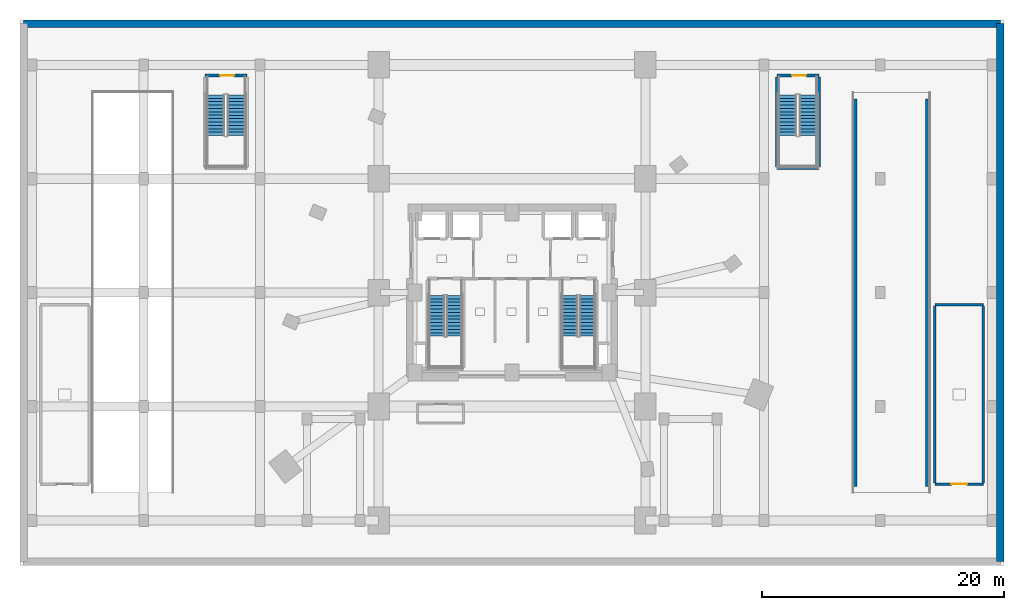
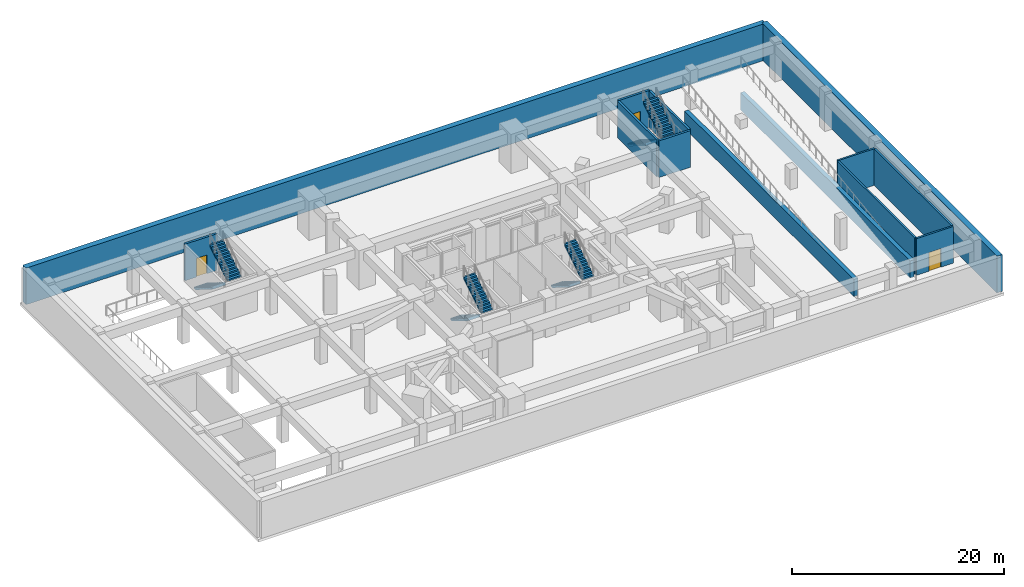
# One storey, part 4 of 9: 13 walls, 8 stair flights, 3 doors, 3 openings, 4 elements without a shape of their own.
"""IFC4 building model written with IfcOpenShell, lengths in metres."""

from ifc_helpers import new_model, si_unit, direction, frame, frame_2d, origin, place, context, subcontext, project, spatial, polyline, rectangle, outline, extrude, material, layer, layer_set, type_object, element, fill, aggregate, save


model = new_model("IFC4")

# Units and contexts
model_context = context("Model", 3, precision=1e-05, world=origin(), true_north=direction((0.0, 1.0)))
body_context = subcontext(model_context, "Body", "Model", "MODEL_VIEW")
ifc_project = project(units=[si_unit("LENGTHUNIT", "METRE"), si_unit("AREAUNIT", "SQUARE_METRE"), si_unit("VOLUMEUNIT", "CUBIC_METRE"), si_unit("PLANEANGLEUNIT", "RADIAN"), si_unit("MASSUNIT", "GRAM", prefix="KILO")], contexts=[model_context])

# Site, building, storey
site_placement = place(None, origin())
site = spatial("IfcSite", under=ifc_project, at=site_placement, CompositionType="ELEMENT")
building_placement = place(site_placement, origin())
building = spatial("IfcBuilding", under=site, at=building_placement, Name="Ndelora Gate Hotel", CompositionType="ELEMENT")
storey_placement = place(building_placement, frame((0.0, 0.0, -4.5)))
storey = spatial("IfcBuildingStorey", under=building, at=storey_placement, Name="B01", CompositionType="ELEMENT", Elevation=-4.5)

# Walls
ifc_material_1 = material(Name="Concrete C50/60", Category="concrete")
ifc_layer_1 = layer(ifc_material_1, 0.449951171875)
ifc_layer_set_1 = layer_set([ifc_layer_1], Name="Concrete C50/60")
wall_type_1 = type_object("IfcWallType", Name="WL-CORE-450", PredefinedType="SHEAR", material=ifc_layer_set_1)
for number, where, z_axis, x_axis, name in (
    (1, (28.25, -16.0, 0.0), (0.0, 0.0, 1.0), (0.0, 1.0, 0.0), "B01 Vehicle Ramp R1 Support Wall W"),
    (2, (34.35009765625, -16.0, 0.0), (0.0, 0.0, 1.0), (0.0, 1.0, 0.0), "B01 Vehicle Ramp R1 Support Wall E"),
):
    element("IfcWall", number, at=place(storey_placement, frame(where, z_axis=z_axis, x_axis=x_axis)), inside=storey, type_object=wall_type_1, Name=name, PredefinedType="SHEAR", context=body_context, shape_type="SweptSolid", body=[
        extrude(rectangle(XDim=32.0, YDim=0.449951171875, at=frame_2d((16.0, 0.0))), origin(), (0.0, 0.0, 1.0), 1.969970703125),
    ])
ifc_material_2 = material(Name="Concrete C40/50", Category="concrete")
ifc_layer_2 = layer(ifc_material_2, 0.199951171875)
ifc_layer_set_2 = layer_set([ifc_layer_2], Name="Concrete C40/50")
wall_type_2 = type_object("IfcWallType", Name="WL-FIRE-200", PredefinedType="PARTITIONING", material=ifc_layer_set_2)
wall_1_placement = place(storey_placement, frame((34.89990234375, -1.0, 0.0), z_axis=(0.0, 0.0, 1.0), x_axis=(1.0, 0.0, 0.0)))
element("IfcWall", 3, at=wall_1_placement, inside=storey, type_object=wall_type_2, Name="B01 Interior Wall IW-2", PredefinedType="PARTITIONING", context=body_context, shape_type="SweptSolid", body=[
    extrude(rectangle(XDim=4.0, YDim=0.199951171875, at=frame_2d((2.0, 0.0))), origin(), (0.0, 0.0, 1.0), 4.219970703125),
])

# Wall, opening, door
wall_2_placement = place(storey_placement, frame((34.89990234375, -15.800048828125, 0.0), z_axis=(0.0, 0.0, 1.0), x_axis=(1.0, 0.0, 0.0)))
wall_2 = element("IfcWall", 4, at=wall_2_placement, inside=storey, type_object=wall_type_2, Name="B01 Interior Wall IW-2", PredefinedType="PARTITIONING", context=body_context, shape_type="SweptSolid", body=[
    extrude(rectangle(XDim=4.0, YDim=0.199951171875, at=frame_2d((2.0, 0.0))), origin(), (0.0, 0.0, 1.0), 4.219970703125),
])
opening_1_placement = place(wall_2_placement, frame((1.35009765625, 0.0, 0.0)))
opening_1 = element("IfcOpeningElement", 5, at=opening_1_placement, cuts=wall_2, Name="Opening FD3", PredefinedType="OPENING", context=body_context, shape_type="SweptSolid", body=[
    extrude(rectangle(XDim=1.300048828125, YDim=2.14990234375, at=frame_2d((0.64990234375, 1.074951171875))), frame((0.0, 0.10986328125, 0.0), z_axis=(0.0, -1.0, 0.0), x_axis=(1.0, 0.0, 0.0)), (0.0, 0.0, 1.0), 0.219970703125),
])
ifc_material_3 = material(Name="Insulated Steel Plant Room Fire Door", Category="steel")
door_type_1 = type_object("IfcDoorType", Name="DR-PLT-1300", OperationType="SINGLE_SWING_LEFT", PredefinedType="DOOR", material=ifc_material_3)
door_1_placement = place(opening_1_placement, origin())
door_1 = element("IfcDoor", 6, at=door_1_placement, inside=storey, type_object=door_type_1, Name="B01 EV Charging Switchgear and Valet Store Door", OperationType="SINGLE_SWING_RIGHT", OverallHeight=2.14990234375, OverallWidth=1.300048828125, PredefinedType="DOOR", context=body_context, shape_type="SweptSolid", body=[
    extrude(rectangle(XDim=1.300048828125, YDim=2.14990234375, at=frame_2d((0.64990234375, 1.074951171875))), frame((0.0, 0.02490234375, 0.0), z_axis=(0.0, -1.0, 0.0), x_axis=(1.0, 0.0, 0.0)), (0.0, 0.0, 1.0), 0.050048828125),
])
fill(opening_1, door_1)

# Walls
for number, where, z_axis, x_axis, name in (
    (7, (34.89990234375, -1.110107421875, 0.0), (0.0, 0.0, 1.0), (0.0, -1.0, 0.0), "B01 Interior Wall IW-2"),
    (8, (38.89990234375, -15.68994140625, 0.0), (0.0, 0.0, 1.0), (0.0, 1.0, 0.0), "B01 Interior Wall IW-2"),
):
    element("IfcWall", number, at=place(storey_placement, frame(where, z_axis=z_axis, x_axis=x_axis)), inside=storey, type_object=wall_type_2, Name=name, PredefinedType="PARTITIONING", context=body_context, shape_type="SweptSolid", body=[
        extrude(rectangle(XDim=14.579833984375, YDim=0.199951171875, at=frame_2d((7.2900390625, 0.0))), origin(), (0.0, 0.0, 1.0), 4.219970703125),
    ])
ifc_layer_3 = layer(ifc_material_2, 0.60009765625)
ifc_layer_set_3 = layer_set([ifc_layer_3], Name="Concrete C40/50")
wall_type_3 = type_object("IfcWallType", Name="WL-RET-600", PredefinedType="SOLIDWALL", material=ifc_layer_set_3)
wall_3_placement = place(storey_placement, frame((40.300048828125, -22.199951171875, 0.0), z_axis=(0.0, 0.0, 1.0), x_axis=(0.0, 1.0, 0.0)))
element("IfcWall", 9, at=wall_3_placement, inside=storey, type_object=wall_type_3, Name="B01 Perimeter Retaining Wall RW-1 (2)", PredefinedType="SOLIDWALL", context=body_context, shape_type="SweptSolid", body=[
    extrude(rectangle(XDim=44.39990234375, YDim=0.60009765625, at=frame_2d((22.199951171875, 0.0))), origin(), (0.0, 0.0, 1.0), 4.219970703125),
])
wall_4_placement = place(storey_placement, frame((40.300048828125, 22.199951171875, 0.0), z_axis=(0.0, 0.0, 1.0), x_axis=(-1.0, 0.0, 0.0)))
element("IfcWall", 10, at=wall_4_placement, inside=storey, type_object=wall_type_3, Name="B01 Perimeter Retaining Wall RW-1 (3)", PredefinedType="SOLIDWALL", context=body_context, shape_type="SweptSolid", body=[
    extrude(rectangle(XDim=80.60009765625, YDim=0.60009765625, at=frame_2d((40.300048828125, 0.0))), origin(), (0.0, 0.0, 1.0), 4.219970703125),
])

# Wall, opening, door
ifc_layer_4 = layer(ifc_material_1, 0.239990234375)
ifc_layer_set_4 = layer_set([ifc_layer_4], Name="Concrete C50/60")
wall_type_4 = type_object("IfcWallType", Name="WL-STAIR-240", PredefinedType="SHEAR", material=ifc_layer_set_4)
wall_5_placement = place(storey_placement, frame((-21.8798828125, 17.919921875, 0.0), z_axis=(0.0, 0.0, 1.0), x_axis=(-1.0, 0.0, 0.0)))
wall_5 = element("IfcWall", 11, at=wall_5_placement, inside=storey, type_object=wall_type_4, Name="B01 Stair Core Shear Wall SW-ST", PredefinedType="SHEAR", context=body_context, shape_type="SweptSolid", body=[
    extrude(rectangle(XDim=3.440185546875, YDim=0.239990234375, at=frame_2d((1.72021484375, 0.0))), origin(), (0.0, 0.0, 1.0), 4.219970703125),
])
opening_2_placement = place(wall_5_placement, frame((1.050048828125, 0.0, 0.0)))
opening_2 = element("IfcOpeningElement", 12, at=opening_2_placement, cuts=wall_5, Name="Opening FD1", PredefinedType="OPENING", context=body_context, shape_type="SweptSolid", body=[
    extrude(rectangle(XDim=1.14990234375, YDim=2.14990234375, at=frame_2d((0.574951171875, 1.074951171875))), frame((0.0, 0.1298828125, 0.0), z_axis=(0.0, -1.0, 0.0), x_axis=(1.0, 0.0, 0.0)), (0.0, 0.0, 1.0), 0.260009765625),
])
ifc_material_4 = material(Name="Fire-Rated Timber-Veneer Steel Core", Category="steel")
door_type_2 = type_object("IfcDoorType", Name="DR-FD60", OperationType="SINGLE_SWING_LEFT", PredefinedType="DOOR", material=ifc_material_4)
door_2_placement = place(opening_2_placement, origin())
door_2 = element("IfcDoor", 13, at=door_2_placement, inside=storey, type_object=door_type_2, Name="B01 Escape Stair ST1 Door", OperationType="SINGLE_SWING_LEFT", OverallHeight=2.14990234375, OverallWidth=1.14990234375, PredefinedType="DOOR", context=body_context, shape_type="SweptSolid", body=[
    extrude(rectangle(XDim=1.14990234375, YDim=2.14990234375, at=frame_2d((0.574951171875, 1.074951171875))), frame((0.0, 0.02490234375, 0.0), z_axis=(0.0, -1.0, 0.0), x_axis=(1.0, 0.0, 0.0)), (0.0, 0.0, 1.0), 0.050048828125),
])
fill(opening_2, door_2)

# Walls
for number, where, z_axis, x_axis, name in (
    (14, (21.8798828125, 10.389892578125, 0.0), (0.0, 0.0, 1.0), (0.0, 1.0, 0.0), "B01 Stair Core Shear Wall SW-ST"),
    (15, (25.320068359375, 10.389892578125, 0.0), (0.0, 0.0, 1.0), (0.0, 1.0, 0.0), "B01 Stair Core Shear Wall SW-ST"),
):
    element("IfcWall", number, at=place(storey_placement, frame(where, z_axis=z_axis, x_axis=x_axis)), inside=storey, type_object=wall_type_4, Name=name, PredefinedType="SHEAR", context=body_context, shape_type="SweptSolid", body=[
        extrude(rectangle(XDim=7.420166015625, YDim=0.239990234375, at=frame_2d((3.7099609375, 0.0))), origin(), (0.0, 0.0, 1.0), 4.219970703125),
    ])
wall_6_placement = place(storey_placement, frame((21.8798828125, 10.280029296875, 0.0), z_axis=(0.0, 0.0, 1.0), x_axis=(1.0, 0.0, 0.0)))
element("IfcWall", 16, at=wall_6_placement, inside=storey, type_object=wall_type_4, Name="B01 Stair Core Shear Wall SW-ST", PredefinedType="SHEAR", context=body_context, shape_type="SweptSolid", body=[
    extrude(rectangle(XDim=3.440185546875, YDim=0.239990234375, at=frame_2d((1.72021484375, 0.0))), origin(), (0.0, 0.0, 1.0), 4.219970703125),
])

# Wall, opening, door
wall_7_placement = place(storey_placement, frame((25.320068359375, 17.919921875, 0.0), z_axis=(0.0, 0.0, 1.0), x_axis=(-1.0, 0.0, 0.0)))
wall_7 = element("IfcWall", 17, at=wall_7_placement, inside=storey, type_object=wall_type_4, Name="B01 Stair Core Shear Wall SW-ST", PredefinedType="SHEAR", context=body_context, shape_type="SweptSolid", body=[
    extrude(rectangle(XDim=3.440185546875, YDim=0.239990234375, at=frame_2d((1.72021484375, 0.0))), origin(), (0.0, 0.0, 1.0), 4.219970703125),
])
opening_3_placement = place(wall_7_placement, frame((1.050048828125, 0.0, 0.0)))
opening_3 = element("IfcOpeningElement", 18, at=opening_3_placement, cuts=wall_7, Name="Opening FD1", PredefinedType="OPENING", context=body_context, shape_type="SweptSolid", body=[
    extrude(rectangle(XDim=1.14990234375, YDim=2.14990234375, at=frame_2d((0.574951171875, 1.074951171875))), frame((0.0, 0.1298828125, 0.0), z_axis=(0.0, -1.0, 0.0), x_axis=(1.0, 0.0, 0.0)), (0.0, 0.0, 1.0), 0.260009765625),
])
door_3_placement = place(opening_3_placement, origin())
door_3 = element("IfcDoor", 19, at=door_3_placement, inside=storey, type_object=door_type_2, Name="B01 Escape Stair ST2 Door", OperationType="SINGLE_SWING_LEFT", OverallHeight=2.14990234375, OverallWidth=1.14990234375, PredefinedType="DOOR", context=body_context, shape_type="SweptSolid", body=[
    extrude(rectangle(XDim=1.14990234375, YDim=2.14990234375, at=frame_2d((0.574951171875, 1.074951171875))), frame((0.0, 0.02490234375, 0.0), z_axis=(0.0, -1.0, 0.0), x_axis=(1.0, 0.0, 0.0)), (0.0, 0.0, 1.0), 0.050048828125),
])
fill(opening_3, door_3)

# Stair, stair flights
ifc_material_5 = material(Name="Precast concrete C40/50", Category="concrete")
stair_type = type_object("IfcStairType", Name="STR-DOG-CORE", PredefinedType="HALF_TURN_STAIR", material=ifc_material_5)
stair_1_placement = place(storey_placement, origin())
stair_1 = element("IfcStair", 20, at=stair_1_placement, inside=storey, type_object=stair_type, Name="B01 Protected Core Exit Stair ST4", PredefinedType="HALF_TURN_STAIR")
stair_flight_type = type_object("IfcStairFlightType", Name="STF-PRECAST", PredefinedType="STRAIGHT", material=ifc_material_5)
stair_flight_1_placement = place(storey_placement, frame((-6.2099609375, -0.22998046875, 0.0), z_axis=(0.0, 0.0, 1.0), x_axis=(0.0, -1.0, 0.0)))
stair_flight_1 = element("IfcStairFlight", 21, at=stair_flight_1_placement, type_object=stair_flight_type, Name="ST4 flight 1", NumberOfRisers=13, NumberOfTreads=12, PredefinedType="STRAIGHT", RiserHeight=0.173076923, TreadLength=0.28, context=body_context, shape_type="SweptSolid", body=[
    extrude(outline(polyline([(-0.00048828125, 0.0), (-0.00048828125, 0.173095703125), (0.0, 0.173095703125), (0.280029296875, 0.173095703125), (0.280029296875, 0.34619140625), (0.56005859375, 0.34619140625), (0.56005859375, 0.519287109375), (0.840087890625, 0.519287109375), (0.840087890625, 0.6923828125), (1.1201171875, 0.6923828125), (1.1201171875, 0.865478515625), (1.39990234375, 0.865478515625), (1.39990234375, 1.03857421875), (1.679931640625, 1.03857421875), (1.679931640625, 1.21142578125), (1.9599609375, 1.21142578125), (1.9599609375, 1.384521484375), (2.239990234375, 1.384521484375), (2.239990234375, 1.5576171875), (2.52001953125, 1.5576171875), (2.52001953125, 1.730712890625), (2.800048828125, 1.730712890625), (2.800048828125, 1.90380859375), (3.080078125, 1.90380859375), (3.080078125, 2.076904296875), (3.360107421875, 2.076904296875), (3.360107421875, 2.25), (3.360595703125, 2.25), (3.360595703125, 2.070068359375), (3.360107421875, 1.900634765625), (0.28515625, 0.0), (-0.00048828125, 0.0)])), frame((0.0, 0.64013671875, 0.0), z_axis=(0.0, -1.0, 0.0), x_axis=(1.0, 0.0, 0.0)), (0.0, 0.0, 1.0), 1.280029296875),
])
stair_flight_2_placement = place(storey_placement, frame((-4.77001953125, -3.590087890625, 2.25), z_axis=(0.0, 0.0, 1.0), x_axis=(0.0, 1.0, 0.0)))
stair_flight_2 = element("IfcStairFlight", 22, at=stair_flight_2_placement, type_object=stair_flight_type, Name="ST4 flight 2", NumberOfRisers=13, NumberOfTreads=12, PredefinedType="STRAIGHT", RiserHeight=0.173076923, TreadLength=0.28, context=body_context, shape_type="SweptSolid", body=[
    extrude(outline(polyline([(-0.00048828125, 0.0), (-0.00048828125, 0.173095703125), (0.0, 0.173095703125), (0.280029296875, 0.173095703125), (0.280029296875, 0.34619140625), (0.56005859375, 0.34619140625), (0.56005859375, 0.519287109375), (0.840087890625, 0.519287109375), (0.840087890625, 0.6923828125), (1.1201171875, 0.6923828125), (1.1201171875, 0.865478515625), (1.39990234375, 0.865478515625), (1.39990234375, 1.03857421875), (1.679931640625, 1.03857421875), (1.679931640625, 1.21142578125), (1.9599609375, 1.21142578125), (1.9599609375, 1.384521484375), (2.239990234375, 1.384521484375), (2.239990234375, 1.5576171875), (2.52001953125, 1.5576171875), (2.52001953125, 1.730712890625), (2.800048828125, 1.730712890625), (2.800048828125, 1.90380859375), (3.080078125, 1.90380859375), (3.080078125, 2.076904296875), (3.360107421875, 2.076904296875), (3.360107421875, 2.25), (3.360595703125, 2.25), (3.360595703125, 2.070068359375), (3.360107421875, 1.900634765625), (0.28515625, 0.0), (-0.00048828125, 0.0)])), frame((0.0, 0.64013671875, 0.0), z_axis=(0.0, -1.0, 0.0), x_axis=(1.0, 0.0, 0.0)), (0.0, 0.0, 1.0), 1.280029296875),
])
aggregate(stair_1, [stair_flight_1, stair_flight_2])

stair_2_placement = place(storey_placement, origin())
stair_2 = element("IfcStair", 23, at=stair_2_placement, inside=storey, type_object=stair_type, Name="B01 Protected Core Exit Stair ST5", PredefinedType="HALF_TURN_STAIR")
stair_flight_3_placement = place(storey_placement, frame((4.77001953125, -0.22998046875, 0.0), z_axis=(0.0, 0.0, 1.0), x_axis=(0.0, -1.0, 0.0)))
stair_flight_3 = element("IfcStairFlight", 24, at=stair_flight_3_placement, type_object=stair_flight_type, Name="ST5 flight 1", NumberOfRisers=13, NumberOfTreads=12, PredefinedType="STRAIGHT", RiserHeight=0.173076923, TreadLength=0.28, context=body_context, shape_type="SweptSolid", body=[
    extrude(outline(polyline([(-0.00048828125, 0.0), (-0.00048828125, 0.173095703125), (0.0, 0.173095703125), (0.280029296875, 0.173095703125), (0.280029296875, 0.34619140625), (0.56005859375, 0.34619140625), (0.56005859375, 0.519287109375), (0.840087890625, 0.519287109375), (0.840087890625, 0.6923828125), (1.1201171875, 0.6923828125), (1.1201171875, 0.865478515625), (1.39990234375, 0.865478515625), (1.39990234375, 1.03857421875), (1.679931640625, 1.03857421875), (1.679931640625, 1.21142578125), (1.9599609375, 1.21142578125), (1.9599609375, 1.384521484375), (2.239990234375, 1.384521484375), (2.239990234375, 1.5576171875), (2.52001953125, 1.5576171875), (2.52001953125, 1.730712890625), (2.800048828125, 1.730712890625), (2.800048828125, 1.90380859375), (3.080078125, 1.90380859375), (3.080078125, 2.076904296875), (3.360107421875, 2.076904296875), (3.360107421875, 2.25), (3.360595703125, 2.25), (3.360595703125, 2.070068359375), (3.360107421875, 1.900634765625), (0.28515625, 0.0), (-0.00048828125, 0.0)])), frame((0.0, 0.64013671875, 0.0), z_axis=(0.0, -1.0, 0.0), x_axis=(1.0, 0.0, 0.0)), (0.0, 0.0, 1.0), 1.280029296875),
])
stair_flight_4_placement = place(storey_placement, frame((6.2099609375, -3.590087890625, 2.25), z_axis=(0.0, 0.0, 1.0), x_axis=(0.0, 1.0, 0.0)))
stair_flight_4 = element("IfcStairFlight", 25, at=stair_flight_4_placement, type_object=stair_flight_type, Name="ST5 flight 2", NumberOfRisers=13, NumberOfTreads=12, PredefinedType="STRAIGHT", RiserHeight=0.173076923, TreadLength=0.28, context=body_context, shape_type="SweptSolid", body=[
    extrude(outline(polyline([(-0.00048828125, 0.0), (-0.00048828125, 0.173095703125), (0.0, 0.173095703125), (0.280029296875, 0.173095703125), (0.280029296875, 0.34619140625), (0.56005859375, 0.34619140625), (0.56005859375, 0.519287109375), (0.840087890625, 0.519287109375), (0.840087890625, 0.6923828125), (1.1201171875, 0.6923828125), (1.1201171875, 0.865478515625), (1.39990234375, 0.865478515625), (1.39990234375, 1.03857421875), (1.679931640625, 1.03857421875), (1.679931640625, 1.21142578125), (1.9599609375, 1.21142578125), (1.9599609375, 1.384521484375), (2.239990234375, 1.384521484375), (2.239990234375, 1.5576171875), (2.52001953125, 1.5576171875), (2.52001953125, 1.730712890625), (2.800048828125, 1.730712890625), (2.800048828125, 1.90380859375), (3.080078125, 1.90380859375), (3.080078125, 2.076904296875), (3.360107421875, 2.076904296875), (3.360107421875, 2.25), (3.360595703125, 2.25), (3.360595703125, 2.070068359375), (3.360107421875, 1.900634765625), (0.28515625, 0.0), (-0.00048828125, 0.0)])), frame((0.0, 0.64013671875, 0.0), z_axis=(0.0, -1.0, 0.0), x_axis=(1.0, 0.0, 0.0)), (0.0, 0.0, 1.0), 1.280029296875),
])
aggregate(stair_2, [stair_flight_3, stair_flight_4])

stair_3_placement = place(storey_placement, origin())
stair_3 = element("IfcStair", 26, at=stair_3_placement, inside=storey, type_object=stair_type, Name="B01 Basement Escape Stair ST1", PredefinedType="HALF_TURN_STAIR")
stair_flight_5_placement = place(storey_placement, frame((-24.4599609375, 16.320068359375, 0.0), z_axis=(0.0, 0.0, 1.0), x_axis=(0.0, -1.0, 0.0)))
stair_flight_5 = element("IfcStairFlight", 27, at=stair_flight_5_placement, type_object=stair_flight_type, Name="ST1 flight 1", NumberOfRisers=13, NumberOfTreads=12, PredefinedType="STRAIGHT", RiserHeight=0.173076923, TreadLength=0.28, context=body_context, shape_type="SweptSolid", body=[
    extrude(outline(polyline([(-0.00048828125, 0.0), (-0.00048828125, 0.173095703125), (0.0, 0.173095703125), (0.280029296875, 0.173095703125), (0.280029296875, 0.34619140625), (0.56005859375, 0.34619140625), (0.56005859375, 0.519287109375), (0.840087890625, 0.519287109375), (0.840087890625, 0.6923828125), (1.1201171875, 0.6923828125), (1.1201171875, 0.865478515625), (1.39990234375, 0.865478515625), (1.39990234375, 1.03857421875), (1.679931640625, 1.03857421875), (1.679931640625, 1.21142578125), (1.9599609375, 1.21142578125), (1.9599609375, 1.384521484375), (2.239990234375, 1.384521484375), (2.239990234375, 1.5576171875), (2.52001953125, 1.5576171875), (2.52001953125, 1.730712890625), (2.800048828125, 1.730712890625), (2.800048828125, 1.90380859375), (3.080078125, 1.90380859375), (3.080078125, 2.076904296875), (3.360107421875, 2.076904296875), (3.360107421875, 2.25), (3.360595703125, 2.25), (3.360595703125, 2.070068359375), (3.360107421875, 1.900634765625), (0.28515625, 0.0), (-0.00048828125, 0.0)])), frame((0.0, 0.739990234375, 0.0), z_axis=(0.0, -1.0, 0.0), x_axis=(1.0, 0.0, 0.0)), (0.0, 0.0, 1.0), 1.47998046875),
])
stair_flight_6_placement = place(storey_placement, frame((-22.739990234375, 12.9599609375, 2.25), z_axis=(0.0, 0.0, 1.0), x_axis=(0.0, 1.0, 0.0)))
stair_flight_6 = element("IfcStairFlight", 28, at=stair_flight_6_placement, type_object=stair_flight_type, Name="ST1 flight 2", NumberOfRisers=13, NumberOfTreads=12, PredefinedType="STRAIGHT", RiserHeight=0.173076923, TreadLength=0.28, context=body_context, shape_type="SweptSolid", body=[
    extrude(outline(polyline([(-0.00048828125, 0.0), (-0.00048828125, 0.173095703125), (0.0, 0.173095703125), (0.280029296875, 0.173095703125), (0.280029296875, 0.34619140625), (0.56005859375, 0.34619140625), (0.56005859375, 0.519287109375), (0.840087890625, 0.519287109375), (0.840087890625, 0.6923828125), (1.1201171875, 0.6923828125), (1.1201171875, 0.865478515625), (1.39990234375, 0.865478515625), (1.39990234375, 1.03857421875), (1.679931640625, 1.03857421875), (1.679931640625, 1.21142578125), (1.9599609375, 1.21142578125), (1.9599609375, 1.384521484375), (2.239990234375, 1.384521484375), (2.239990234375, 1.5576171875), (2.52001953125, 1.5576171875), (2.52001953125, 1.730712890625), (2.800048828125, 1.730712890625), (2.800048828125, 1.90380859375), (3.080078125, 1.90380859375), (3.080078125, 2.076904296875), (3.360107421875, 2.076904296875), (3.360107421875, 2.25), (3.360595703125, 2.25), (3.360595703125, 2.070068359375), (3.360107421875, 1.900634765625), (0.28515625, 0.0), (-0.00048828125, 0.0)])), frame((0.0, 0.739990234375, 0.0), z_axis=(0.0, -1.0, 0.0), x_axis=(1.0, 0.0, 0.0)), (0.0, 0.0, 1.0), 1.47998046875),
])
aggregate(stair_3, [stair_flight_5, stair_flight_6])

stair_4_placement = place(storey_placement, origin())
stair_4 = element("IfcStair", 29, at=stair_4_placement, inside=storey, type_object=stair_type, Name="B01 Basement Escape Stair ST2", PredefinedType="HALF_TURN_STAIR")
stair_flight_7_placement = place(storey_placement, frame((22.739990234375, 16.320068359375, 0.0), z_axis=(0.0, 0.0, 1.0), x_axis=(0.0, -1.0, 0.0)))
stair_flight_7 = element("IfcStairFlight", 30, at=stair_flight_7_placement, type_object=stair_flight_type, Name="ST2 flight 1", NumberOfRisers=13, NumberOfTreads=12, PredefinedType="STRAIGHT", RiserHeight=0.173076923, TreadLength=0.28, context=body_context, shape_type="SweptSolid", body=[
    extrude(outline(polyline([(-0.00048828125, 0.0), (-0.00048828125, 0.173095703125), (0.0, 0.173095703125), (0.280029296875, 0.173095703125), (0.280029296875, 0.34619140625), (0.56005859375, 0.34619140625), (0.56005859375, 0.519287109375), (0.840087890625, 0.519287109375), (0.840087890625, 0.6923828125), (1.1201171875, 0.6923828125), (1.1201171875, 0.865478515625), (1.39990234375, 0.865478515625), (1.39990234375, 1.03857421875), (1.679931640625, 1.03857421875), (1.679931640625, 1.21142578125), (1.9599609375, 1.21142578125), (1.9599609375, 1.384521484375), (2.239990234375, 1.384521484375), (2.239990234375, 1.5576171875), (2.52001953125, 1.5576171875), (2.52001953125, 1.730712890625), (2.800048828125, 1.730712890625), (2.800048828125, 1.90380859375), (3.080078125, 1.90380859375), (3.080078125, 2.076904296875), (3.360107421875, 2.076904296875), (3.360107421875, 2.25), (3.360595703125, 2.25), (3.360595703125, 2.070068359375), (3.360107421875, 1.900634765625), (0.28515625, 0.0), (-0.00048828125, 0.0)])), frame((0.0, 0.739990234375, 0.0), z_axis=(0.0, -1.0, 0.0), x_axis=(1.0, 0.0, 0.0)), (0.0, 0.0, 1.0), 1.47998046875),
])
stair_flight_8_placement = place(storey_placement, frame((24.4599609375, 12.9599609375, 2.25), z_axis=(0.0, 0.0, 1.0), x_axis=(0.0, 1.0, 0.0)))
stair_flight_8 = element("IfcStairFlight", 31, at=stair_flight_8_placement, type_object=stair_flight_type, Name="ST2 flight 2", NumberOfRisers=13, NumberOfTreads=12, PredefinedType="STRAIGHT", RiserHeight=0.173076923, TreadLength=0.28, context=body_context, shape_type="SweptSolid", body=[
    extrude(outline(polyline([(-0.00048828125, 0.0), (-0.00048828125, 0.173095703125), (0.0, 0.173095703125), (0.280029296875, 0.173095703125), (0.280029296875, 0.34619140625), (0.56005859375, 0.34619140625), (0.56005859375, 0.519287109375), (0.840087890625, 0.519287109375), (0.840087890625, 0.6923828125), (1.1201171875, 0.6923828125), (1.1201171875, 0.865478515625), (1.39990234375, 0.865478515625), (1.39990234375, 1.03857421875), (1.679931640625, 1.03857421875), (1.679931640625, 1.21142578125), (1.9599609375, 1.21142578125), (1.9599609375, 1.384521484375), (2.239990234375, 1.384521484375), (2.239990234375, 1.5576171875), (2.52001953125, 1.5576171875), (2.52001953125, 1.730712890625), (2.800048828125, 1.730712890625), (2.800048828125, 1.90380859375), (3.080078125, 1.90380859375), (3.080078125, 2.076904296875), (3.360107421875, 2.076904296875), (3.360107421875, 2.25), (3.360595703125, 2.25), (3.360595703125, 2.070068359375), (3.360107421875, 1.900634765625), (0.28515625, 0.0), (-0.00048828125, 0.0)])), frame((0.0, 0.739990234375, 0.0), z_axis=(0.0, -1.0, 0.0), x_axis=(1.0, 0.0, 0.0)), (0.0, 0.0, 1.0), 1.47998046875),
])
aggregate(stair_4, [stair_flight_7, stair_flight_8])

save(model, "model.ifc")
